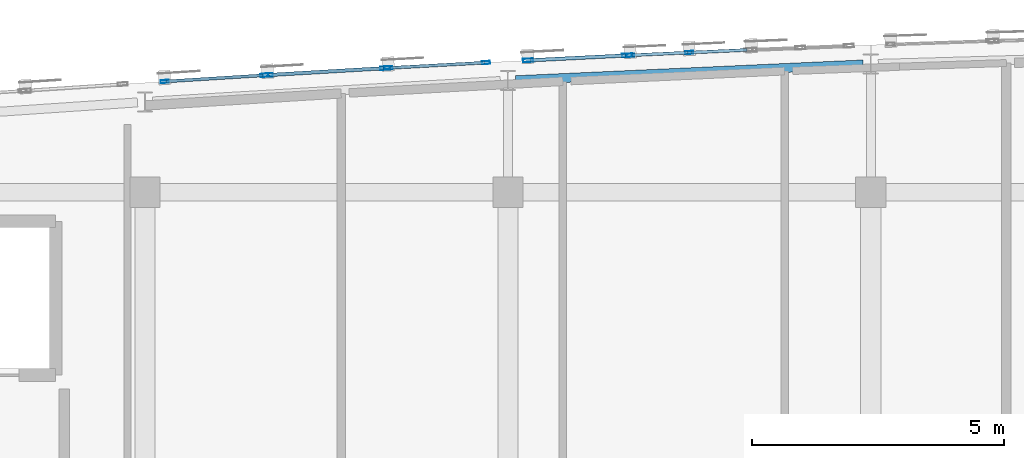
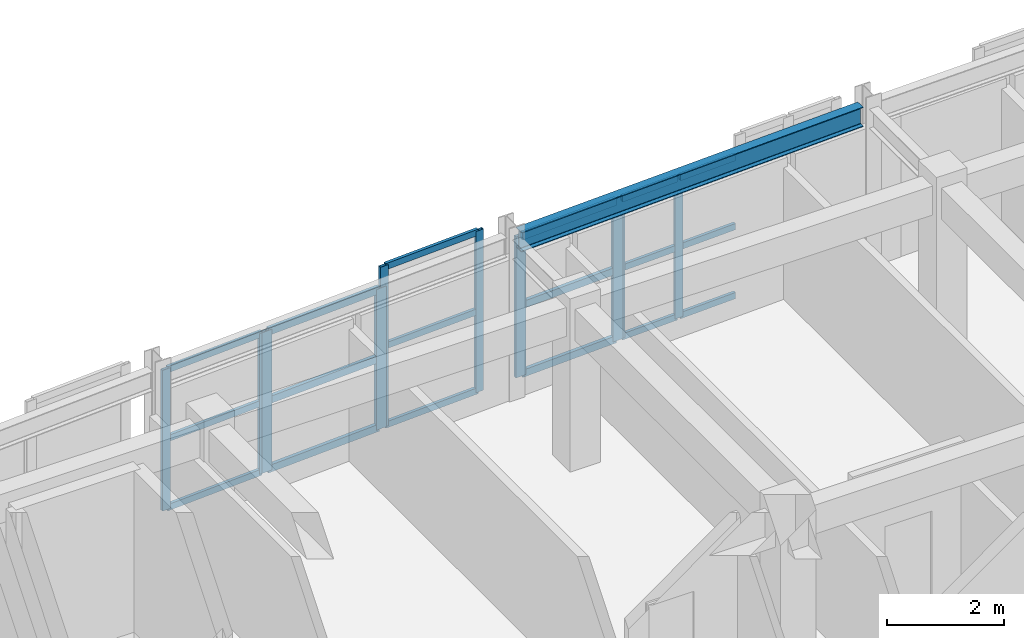
# One storey, part 13 of 48: 28 members, 1 beam, 5 elements without a shape of their own.
"""IFC4 building model written with IfcOpenShell, lengths in metres."""

from ifc_helpers import new_model, si_unit, direction, frame, origin, origin_2d, place, context, subcontext, project, spatial, hollow_rectangle, i_section, extrude, material, layer, layer_set, material_profile, profile_set, type_object, element, aggregate, save


model = new_model("IFC4")

# Units and contexts
model_context = context("Model", 3, precision=1e-05, world=origin(), true_north=direction((0.0, 1.0)))
body_context = subcontext(model_context, "Body", "Model", "MODEL_VIEW")
ifc_project = project(units=[si_unit("LENGTHUNIT", "METRE"), si_unit("AREAUNIT", "SQUARE_METRE"), si_unit("VOLUMEUNIT", "CUBIC_METRE"), si_unit("PLANEANGLEUNIT", "RADIAN"), si_unit("MASSUNIT", "GRAM", prefix="KILO")], contexts=[model_context])

# Site, building, storey
site_placement = place(None, origin())
site = spatial("IfcSite", under=ifc_project, at=site_placement, CompositionType="ELEMENT")
building_placement = place(site_placement, origin())
building = spatial("IfcBuilding", under=site, at=building_placement, Name="Carrowvane Square Congress Hotel", CompositionType="ELEMENT")
storey_placement = place(building_placement, frame((0.0, 0.0, 26.39990234375)))
storey = spatial("IfcBuildingStorey", under=building, at=storey_placement, Name="L06", CompositionType="ELEMENT", Elevation=26.39990234375)

# Beam
ifc_material_1 = material(Name="Steel S355", Category="steel")
ifc_material_profile_1 = material_profile(ifc_material_1, i_section(OverallWidth=0.1787109375, OverallDepth=0.409423828125, WebThickness=0.0087890625, FlangeThickness=0.014404296875, FilletRadius=0.01025390625, at=origin_2d()), Name="UKB 406x178x67")
ifc_profile_set_1 = profile_set([ifc_material_profile_1], Name="Steel S355")
beam_type = type_object("IfcBeamType", Name="BM-ST-UKB406", PredefinedType="BEAM", material=ifc_profile_set_1)
beam_placement = place(storey_placement, frame((76.5498046875, 115.62451171875, 3.1455078125), z_axis=(0.998974507316, 0.045276193882, 0.0), x_axis=(-0.045276193882, 0.998974507316, 0.0)))
element("IfcBeam", 1, at=beam_placement, inside=storey, type_object=beam_type, Name="L07 curved north spandrel", PredefinedType="BEAM", context=body_context, shape_type="SweptSolid", body=[
    extrude(i_section(OverallWidth=0.1787109375, OverallDepth=0.409423828125, WebThickness=0.0087890625, FlangeThickness=0.014404296875, FilletRadius=0.01025390625, at=origin_2d()), origin(), (0.0, 0.0, 1.0), 6.907470703125),
])

# Curtain wall, members
ifc_material_2 = material(Name="Anodised aluminium", Category="aluminium")
ifc_layer_1 = layer(ifc_material_2, 0.18603515625)
ifc_layer_set_1 = layer_set([ifc_layer_1], Name="Anodised aluminium")
curtain_wall_type_1 = type_object("IfcCurtainWallType", Name="CW-SYS-3", PredefinedType="NOTDEFINED", material=ifc_layer_set_1)
curtain_wall_1_placement = place(storey_placement, origin())
curtain_wall_1 = element("IfcCurtainWall", 2, at=curtain_wall_1_placement, inside=storey, type_object=curtain_wall_type_1, Name="L06 unitised curtain wall 370", PredefinedType="NOTDEFINED")
ifc_material_3 = material(Name="Anodised aluminium", Category="aluminium")
ifc_material_profile_2 = material_profile(ifc_material_3, hollow_rectangle(XDim=0.06005859375, YDim=0.159912109375, WallThickness=0.00390625, at=origin_2d()), Name="CW-ML 60x160x4")
ifc_profile_set_2 = profile_set([ifc_material_profile_2], Name="Anodised aluminium")
member_type_1 = type_object("IfcMemberType", Name="CW-MUL-1", PredefinedType="MULLION", material=ifc_profile_set_2)
member_1_placement = place(storey_placement, frame((69.58984375, 115.5986328125, 0.0), z_axis=(0.0, 0.0, 1.0), x_axis=(-0.062397474952, 0.998051378998, 0.0)))
member_1 = element("IfcMember", 3, at=member_1_placement, type_object=member_type_1, Name="CW-3 mullion 1", PredefinedType="MULLION", context=body_context, shape_type="SweptSolid", body=[
    extrude(hollow_rectangle(XDim=0.06005859375, YDim=0.159912109375, WallThickness=0.00390625, at=origin_2d()), origin(), (0.0, 0.0, 1.0), 2.92578125),
])
member_2_placement = place(storey_placement, frame((71.570068359375, 115.722412109375, 0.0), z_axis=(0.0, 0.0, 1.0), x_axis=(-0.062397474952, 0.998051378998, 0.0)))
member_2 = element("IfcMember", 4, at=member_2_placement, type_object=member_type_1, Name="CW-3 mullion 2", PredefinedType="MULLION", context=body_context, shape_type="SweptSolid", body=[
    extrude(hollow_rectangle(XDim=0.06005859375, YDim=0.159912109375, WallThickness=0.00390625, at=origin_2d()), origin(), (0.0, 0.0, 1.0), 2.92578125),
])

ifc_material_4 = material(Name="Anodised aluminium", Category="aluminium")
ifc_layer_2 = layer(ifc_material_4, 0.2099609375)
ifc_layer_set_2 = layer_set([ifc_layer_2], Name="Anodised aluminium")
curtain_wall_type_2 = type_object("IfcCurtainWallType", Name="CW-SYS-5", PredefinedType="NOTDEFINED", material=ifc_layer_set_2)
curtain_wall_2_placement = place(storey_placement, origin())
curtain_wall_2 = element("IfcCurtainWall", 5, at=curtain_wall_2_placement, inside=storey, type_object=curtain_wall_type_2, Name="L06 unitised curtain wall 372", PredefinedType="NOTDEFINED")
member_3_placement = place(storey_placement, frame((74.030029296875, 115.867431640625, 0.0), z_axis=(0.0, 0.0, 1.0), x_axis=(-0.054815980317, 0.998496473856, 0.0)))
member_3 = element("IfcMember", 6, at=member_3_placement, type_object=member_type_1, Name="CW-5 mullion 1", PredefinedType="MULLION", context=body_context, shape_type="SweptSolid", body=[
    extrude(hollow_rectangle(XDim=0.06005859375, YDim=0.159912109375, WallThickness=0.00390625, at=origin_2d()), origin(), (0.0, 0.0, 1.0), 3.35009765625),
])
member_4_placement = place(storey_placement, frame((75.965576171875, 115.9736328125, 0.0), z_axis=(0.0, 0.0, 1.0), x_axis=(-0.054815980317, 0.998496473856, 0.0)))
member_4 = element("IfcMember", 7, at=member_4_placement, type_object=member_type_1, Name="CW-5 mullion 2", PredefinedType="MULLION", context=body_context, shape_type="SweptSolid", body=[
    extrude(hollow_rectangle(XDim=0.06005859375, YDim=0.159912109375, WallThickness=0.00390625, at=origin_2d()), origin(), (0.0, 0.0, 1.0), 3.35009765625),
])

ifc_material_5 = material(Name="Anodised aluminium", Category="aluminium")
ifc_layer_3 = layer(ifc_material_5, 0.23388671875)
ifc_layer_set_3 = layer_set([ifc_layer_3], Name="Anodised aluminium")
curtain_wall_type_3 = type_object("IfcCurtainWallType", Name="CW-SYS-7", PredefinedType="NOTDEFINED", material=ifc_layer_set_3)
curtain_wall_3_placement = place(storey_placement, origin())
curtain_wall_3 = element("IfcCurtainWall", 8, at=curtain_wall_3_placement, inside=storey, type_object=curtain_wall_type_3, Name="L06 unitised curtain wall 374", PredefinedType="NOTDEFINED")
member_5_placement = place(storey_placement, frame((78.830078125, 116.119873046875, 0.0), z_axis=(0.0, 0.0, 1.0), x_axis=(-0.045411059449, 0.998968385726, 0.0)))
member_5 = element("IfcMember", 9, at=member_5_placement, type_object=member_type_1, Name="CW-7 mullion 1", PredefinedType="MULLION", context=body_context, shape_type="SweptSolid", body=[
    extrude(hollow_rectangle(XDim=0.06005859375, YDim=0.159912109375, WallThickness=0.00390625, at=origin_2d()), origin(), (0.0, 0.0, 1.0), 2.92578125),
])
member_6_placement = place(storey_placement, frame((80.0, 116.173095703125, 0.0), z_axis=(0.0, 0.0, 1.0), x_axis=(-0.045411059449, 0.998968385726, 0.0)))
member_6 = element("IfcMember", 10, at=member_6_placement, type_object=member_type_1, Name="CW-7 mullion 2", PredefinedType="MULLION", context=body_context, shape_type="SweptSolid", body=[
    extrude(hollow_rectangle(XDim=0.06005859375, YDim=0.159912109375, WallThickness=0.00390625, at=origin_2d()), origin(), (0.0, 0.0, 1.0), 2.92578125),
])

ifc_material_6 = material(Name="Anodised aluminium", Category="aluminium")
ifc_layer_4 = layer(ifc_material_6, 0.197998046875)
ifc_layer_set_4 = layer_set([ifc_layer_4], Name="Anodised aluminium")
curtain_wall_type_4 = type_object("IfcCurtainWallType", Name="CW-SYS-4", PredefinedType="NOTDEFINED", material=ifc_layer_set_4)
curtain_wall_4_placement = place(storey_placement, origin())
curtain_wall_4 = element("IfcCurtainWall", 11, at=curtain_wall_4_placement, inside=storey, type_object=curtain_wall_type_4, Name="L06 unitised curtain wall 371", PredefinedType="NOTDEFINED")
ifc_material_7 = material(Name="Anodised aluminium", Category="aluminium")
ifc_material_profile_3 = material_profile(ifc_material_7, hollow_rectangle(XDim=0.070068359375, YDim=0.199951171875, WallThickness=0.0048828125, at=origin_2d()), Name="CW-ML 70x200x5")
ifc_profile_set_3 = profile_set([ifc_material_profile_3], Name="Anodised aluminium")
member_type_2 = type_object("IfcMemberType", Name="CW-MUL-2", PredefinedType="MULLION", material=ifc_profile_set_3)
member_7_placement = place(storey_placement, frame((71.635009765625, 115.726318359375, 0.0), z_axis=(0.0, 0.0, 1.0), x_axis=(-0.058851249486, 0.998266763162, 0.0)))
member_7 = element("IfcMember", 12, at=member_7_placement, type_object=member_type_2, Name="CW-4 mullion 1", PredefinedType="MULLION", context=body_context, shape_type="SweptSolid", body=[
    extrude(hollow_rectangle(XDim=0.070068359375, YDim=0.199951171875, WallThickness=0.0048828125, at=origin_2d()), origin(), (0.0, 0.0, 1.0), 2.92578125),
])
member_8_placement = place(storey_placement, frame((73.965087890625, 115.86376953125, 0.0), z_axis=(0.0, 0.0, 1.0), x_axis=(-0.058851249486, 0.998266763162, 0.0)))
member_8 = element("IfcMember", 13, at=member_8_placement, type_object=member_type_2, Name="CW-4 mullion 2", PredefinedType="MULLION", context=body_context, shape_type="SweptSolid", body=[
    extrude(hollow_rectangle(XDim=0.070068359375, YDim=0.199951171875, WallThickness=0.0048828125, at=origin_2d()), origin(), (0.0, 0.0, 1.0), 2.92578125),
])

ifc_material_8 = material(Name="Anodised aluminium", Category="aluminium")
ifc_layer_5 = layer(ifc_material_8, 0.221923828125)
ifc_layer_set_5 = layer_set([ifc_layer_5], Name="Anodised aluminium")
curtain_wall_type_5 = type_object("IfcCurtainWallType", Name="CW-SYS-6", PredefinedType="NOTDEFINED", material=ifc_layer_set_5)
curtain_wall_5_placement = place(storey_placement, origin())
curtain_wall_5 = element("IfcCurtainWall", 14, at=curtain_wall_5_placement, inside=storey, type_object=curtain_wall_type_5, Name="L06 unitised curtain wall 373", PredefinedType="NOTDEFINED")
member_9_placement = place(storey_placement, frame((76.799560546875, 116.017822265625, 0.0), z_axis=(0.0, 0.0, 1.0), x_axis=(-0.050323791596, 0.998732955299, 0.0)))
member_9 = element("IfcMember", 15, at=member_9_placement, type_object=member_type_2, Name="CW-6 mullion 1", PredefinedType="MULLION", context=body_context, shape_type="SweptSolid", body=[
    extrude(hollow_rectangle(XDim=0.070068359375, YDim=0.199951171875, WallThickness=0.0048828125, at=origin_2d()), origin(), (0.0, 0.0, 1.0), 2.92578125),
])
member_10_placement = place(storey_placement, frame((78.764892578125, 116.11669921875, 0.0), z_axis=(0.0, 0.0, 1.0), x_axis=(-0.050323791596, 0.998732955299, 0.0)))
member_10 = element("IfcMember", 16, at=member_10_placement, type_object=member_type_2, Name="CW-6 mullion 2", PredefinedType="MULLION", context=body_context, shape_type="SweptSolid", body=[
    extrude(hollow_rectangle(XDim=0.070068359375, YDim=0.199951171875, WallThickness=0.0048828125, at=origin_2d()), origin(), (0.0, 0.0, 1.0), 2.92578125),
])

# Member
ifc_material_9 = material(Name="Anodised aluminium", Category="aluminium")
ifc_material_profile_4 = material_profile(ifc_material_9, hollow_rectangle(XDim=0.06005859375, YDim=0.1298828125, WallThickness=0.00390625, at=origin_2d()), Name="CW-TR 60x130x4")
ifc_profile_set_4 = profile_set([ifc_material_profile_4], Name="Anodised aluminium")
member_type_3 = type_object("IfcMemberType", Name="CW-TRN-1", PredefinedType="USERDEFINED", material=ifc_profile_set_4)
member_11_placement = place(storey_placement, frame((69.619873046875, 115.6005859375, 0.030029296875), z_axis=(0.998049120598, 0.062433587709, 0.0), x_axis=(-0.062433587709, 0.998049120598, 0.0)))
member_11 = element("IfcMember", 17, at=member_11_placement, type_object=member_type_3, Name="CW-3 transom 1.1", ObjectType="TRANSOM", PredefinedType="USERDEFINED", context=body_context, shape_type="SweptSolid", body=[
    extrude(hollow_rectangle(XDim=0.06005859375, YDim=0.1298828125, WallThickness=0.00390625, at=origin_2d()), origin(), (0.0, 0.0, 1.0), 1.923828125),
])

member_12_placement = place(storey_placement, frame((69.619873046875, 115.6005859375, 1.462890625), z_axis=(0.998049120598, 0.062433587709, 0.0), x_axis=(-0.062433587709, 0.998049120598, 0.0)))
member_12 = element("IfcMember", 18, at=member_12_placement, type_object=member_type_3, Name="CW-3 transom 1.2", ObjectType="TRANSOM", PredefinedType="USERDEFINED", context=body_context, shape_type="SweptSolid", body=[
    extrude(hollow_rectangle(XDim=0.06005859375, YDim=0.1298828125, WallThickness=0.00390625, at=origin_2d()), origin(), (0.0, 0.0, 1.0), 1.923828125),
])

member_13_placement = place(storey_placement, frame((69.619873046875, 115.6005859375, 2.895751953125), z_axis=(0.998049120598, 0.062433587709, 0.0), x_axis=(-0.062433587709, 0.998049120598, 0.0)))
member_13 = element("IfcMember", 19, at=member_13_placement, type_object=member_type_3, Name="CW-3 transom 1.3", ObjectType="TRANSOM", PredefinedType="USERDEFINED", context=body_context, shape_type="SweptSolid", body=[
    extrude(hollow_rectangle(XDim=0.06005859375, YDim=0.1298828125, WallThickness=0.00390625, at=origin_2d()), origin(), (0.0, 0.0, 1.0), 1.923828125),
])

aggregate(curtain_wall_1, [member_1, member_2, member_11, member_12, member_13])

member_14_placement = place(storey_placement, frame((74.059814453125, 115.869140625, 0.030029296875), z_axis=(0.99849494655, 0.054843793758, 0.0), x_axis=(-0.054843793758, 0.99849494655, 0.0)))
member_14 = element("IfcMember", 20, at=member_14_placement, type_object=member_type_3, Name="CW-5 transom 1.1", ObjectType="TRANSOM", PredefinedType="USERDEFINED", context=body_context, shape_type="SweptSolid", body=[
    extrude(hollow_rectangle(XDim=0.06005859375, YDim=0.1298828125, WallThickness=0.00390625, at=origin_2d()), origin(), (0.0, 0.0, 1.0), 1.878662109375),
])

member_15_placement = place(storey_placement, frame((74.059814453125, 115.869140625, 1.675048828125), z_axis=(0.99849494655, 0.054843793758, 0.0), x_axis=(-0.054843793758, 0.99849494655, 0.0)))
member_15 = element("IfcMember", 21, at=member_15_placement, type_object=member_type_3, Name="CW-5 transom 1.2", ObjectType="TRANSOM", PredefinedType="USERDEFINED", context=body_context, shape_type="SweptSolid", body=[
    extrude(hollow_rectangle(XDim=0.06005859375, YDim=0.1298828125, WallThickness=0.00390625, at=origin_2d()), origin(), (0.0, 0.0, 1.0), 1.878662109375),
])

member_16_placement = place(storey_placement, frame((74.059814453125, 115.869140625, 3.320068359375), z_axis=(0.99849494655, 0.054843793758, 0.0), x_axis=(-0.054843793758, 0.99849494655, 0.0)))
member_16 = element("IfcMember", 22, at=member_16_placement, type_object=member_type_3, Name="CW-5 transom 1.3", ObjectType="TRANSOM", PredefinedType="USERDEFINED", context=body_context, shape_type="SweptSolid", body=[
    extrude(hollow_rectangle(XDim=0.06005859375, YDim=0.1298828125, WallThickness=0.00390625, at=origin_2d()), origin(), (0.0, 0.0, 1.0), 1.878662109375),
])

aggregate(curtain_wall_2, [member_3, member_4, member_14, member_15, member_16])

member_17_placement = place(storey_placement, frame((78.85986328125, 116.121337890625, 0.030029296875), z_axis=(0.998975323867, 0.045258173899, 0.0), x_axis=(-0.045258173899, 0.998975323867, 0.0)))
member_17 = element("IfcMember", 23, at=member_17_placement, type_object=member_type_3, Name="CW-7 transom 1.1", ObjectType="TRANSOM", PredefinedType="USERDEFINED", context=body_context, shape_type="SweptSolid", body=[
    extrude(hollow_rectangle(XDim=0.06005859375, YDim=0.1298828125, WallThickness=0.00390625, at=origin_2d()), origin(), (0.0, 0.0, 1.0), 1.111328125),
])

member_18_placement = place(storey_placement, frame((78.85986328125, 116.121337890625, 1.462890625), z_axis=(0.998975323867, 0.045258173899, 0.0), x_axis=(-0.045258173899, 0.998975323867, 0.0)))
member_18 = element("IfcMember", 24, at=member_18_placement, type_object=member_type_3, Name="CW-7 transom 1.2", ObjectType="TRANSOM", PredefinedType="USERDEFINED", context=body_context, shape_type="SweptSolid", body=[
    extrude(hollow_rectangle(XDim=0.06005859375, YDim=0.1298828125, WallThickness=0.00390625, at=origin_2d()), origin(), (0.0, 0.0, 1.0), 1.111328125),
])

member_19_placement = place(storey_placement, frame((78.85986328125, 116.121337890625, 2.895751953125), z_axis=(0.998975323867, 0.045258173899, 0.0), x_axis=(-0.045258173899, 0.998975323867, 0.0)))
member_19 = element("IfcMember", 25, at=member_19_placement, type_object=member_type_3, Name="CW-7 transom 1.3", ObjectType="TRANSOM", PredefinedType="USERDEFINED", context=body_context, shape_type="SweptSolid", body=[
    extrude(hollow_rectangle(XDim=0.06005859375, YDim=0.1298828125, WallThickness=0.00390625, at=origin_2d()), origin(), (0.0, 0.0, 1.0), 1.111328125),
])

member_20_placement = place(storey_placement, frame((80.030029296875, 116.17431640625, 0.030029296875), z_axis=(0.99896536688, 0.045477420485, 0.0), x_axis=(-0.045477420485, 0.99896536688, 0.0)))
member_20 = element("IfcMember", 26, at=member_20_placement, type_object=member_type_3, Name="CW-7 transom 2.1", ObjectType="TRANSOM", PredefinedType="USERDEFINED", context=body_context, shape_type="SweptSolid", body=[
    extrude(hollow_rectangle(XDim=0.06005859375, YDim=0.1298828125, WallThickness=0.00390625, at=origin_2d()), origin(), (0.0, 0.0, 1.0), 1.111328125),
])

member_21_placement = place(storey_placement, frame((80.030029296875, 116.17431640625, 1.462890625), z_axis=(0.99896536688, 0.045477420485, 0.0), x_axis=(-0.045477420485, 0.99896536688, 0.0)))
member_21 = element("IfcMember", 27, at=member_21_placement, type_object=member_type_3, Name="CW-7 transom 2.2", ObjectType="TRANSOM", PredefinedType="USERDEFINED", context=body_context, shape_type="SweptSolid", body=[
    extrude(hollow_rectangle(XDim=0.06005859375, YDim=0.1298828125, WallThickness=0.00390625, at=origin_2d()), origin(), (0.0, 0.0, 1.0), 1.111328125),
])

member_22_placement = place(storey_placement, frame((80.030029296875, 116.17431640625, 2.895751953125), z_axis=(0.99896536688, 0.045477420485, 0.0), x_axis=(-0.045477420485, 0.99896536688, 0.0)))
member_22 = element("IfcMember", 28, at=member_22_placement, type_object=member_type_3, Name="CW-7 transom 2.3", ObjectType="TRANSOM", PredefinedType="USERDEFINED", context=body_context, shape_type="SweptSolid", body=[
    extrude(hollow_rectangle(XDim=0.06005859375, YDim=0.1298828125, WallThickness=0.00390625, at=origin_2d()), origin(), (0.0, 0.0, 1.0), 1.111328125),
])

aggregate(curtain_wall_3, [member_5, member_6, member_17, member_18, member_19, member_20, member_21, member_22])

ifc_material_10 = material(Name="Anodised aluminium", Category="aluminium")
ifc_material_profile_5 = material_profile(ifc_material_10, hollow_rectangle(XDim=0.070068359375, YDim=0.14990234375, WallThickness=0.0048828125, at=origin_2d()), Name="CW-TR 70x150x5")
ifc_profile_set_5 = profile_set([ifc_material_profile_5], Name="Anodised aluminium")
member_type_4 = type_object("IfcMemberType", Name="CW-TRN-2", PredefinedType="USERDEFINED", material=ifc_profile_set_5)
member_23_placement = place(storey_placement, frame((71.669921875, 115.728515625, 0.03515625), z_axis=(0.998265438007, 0.058873723175, 0.0), x_axis=(-0.058873723175, 0.998265438007, 0.0)))
member_23 = element("IfcMember", 29, at=member_23_placement, type_object=member_type_4, Name="CW-4 transom 1.1", ObjectType="TRANSOM", PredefinedType="USERDEFINED", context=body_context, shape_type="SweptSolid", body=[
    extrude(hollow_rectangle(XDim=0.070068359375, YDim=0.14990234375, WallThickness=0.0048828125, at=origin_2d()), origin(), (0.0, 0.0, 1.0), 2.26416015625),
])

member_24_placement = place(storey_placement, frame((71.669921875, 115.728515625, 1.462890625), z_axis=(0.998265438007, 0.058873723175, 0.0), x_axis=(-0.058873723175, 0.998265438007, 0.0)))
member_24 = element("IfcMember", 30, at=member_24_placement, type_object=member_type_4, Name="CW-4 transom 1.2", ObjectType="TRANSOM", PredefinedType="USERDEFINED", context=body_context, shape_type="SweptSolid", body=[
    extrude(hollow_rectangle(XDim=0.070068359375, YDim=0.14990234375, WallThickness=0.0048828125, at=origin_2d()), origin(), (0.0, 0.0, 1.0), 2.26416015625),
])

member_25_placement = place(storey_placement, frame((71.669921875, 115.728515625, 2.890625), z_axis=(0.998265438007, 0.058873723175, 0.0), x_axis=(-0.058873723175, 0.998265438007, 0.0)))
member_25 = element("IfcMember", 31, at=member_25_placement, type_object=member_type_4, Name="CW-4 transom 1.3", ObjectType="TRANSOM", PredefinedType="USERDEFINED", context=body_context, shape_type="SweptSolid", body=[
    extrude(hollow_rectangle(XDim=0.070068359375, YDim=0.14990234375, WallThickness=0.0048828125, at=origin_2d()), origin(), (0.0, 0.0, 1.0), 2.26416015625),
])

aggregate(curtain_wall_4, [member_7, member_8, member_23, member_24, member_25])

member_26_placement = place(storey_placement, frame((76.83447265625, 116.01953125, 0.03515625), z_axis=(0.998734310046, 0.050296897891, 0.0), x_axis=(-0.050296897891, 0.998734310046, 0.0)))
member_26 = element("IfcMember", 32, at=member_26_placement, type_object=member_type_4, Name="CW-6 transom 1.1", ObjectType="TRANSOM", PredefinedType="USERDEFINED", context=body_context, shape_type="SweptSolid", body=[
    extrude(hollow_rectangle(XDim=0.070068359375, YDim=0.14990234375, WallThickness=0.0048828125, at=origin_2d()), origin(), (0.0, 0.0, 1.0), 1.89794921875),
])

member_27_placement = place(storey_placement, frame((76.83447265625, 116.01953125, 1.462890625), z_axis=(0.998734310046, 0.050296897891, 0.0), x_axis=(-0.050296897891, 0.998734310046, 0.0)))
member_27 = element("IfcMember", 33, at=member_27_placement, type_object=member_type_4, Name="CW-6 transom 1.2", ObjectType="TRANSOM", PredefinedType="USERDEFINED", context=body_context, shape_type="SweptSolid", body=[
    extrude(hollow_rectangle(XDim=0.070068359375, YDim=0.14990234375, WallThickness=0.0048828125, at=origin_2d()), origin(), (0.0, 0.0, 1.0), 1.89794921875),
])

member_28_placement = place(storey_placement, frame((76.83447265625, 116.01953125, 2.890625), z_axis=(0.998734310046, 0.050296897891, 0.0), x_axis=(-0.050296897891, 0.998734310046, 0.0)))
member_28 = element("IfcMember", 34, at=member_28_placement, type_object=member_type_4, Name="CW-6 transom 1.3", ObjectType="TRANSOM", PredefinedType="USERDEFINED", context=body_context, shape_type="SweptSolid", body=[
    extrude(hollow_rectangle(XDim=0.070068359375, YDim=0.14990234375, WallThickness=0.0048828125, at=origin_2d()), origin(), (0.0, 0.0, 1.0), 1.89794921875),
])

aggregate(curtain_wall_5, [member_9, member_10, member_26, member_27, member_28])

save(model, "model.ifc")
